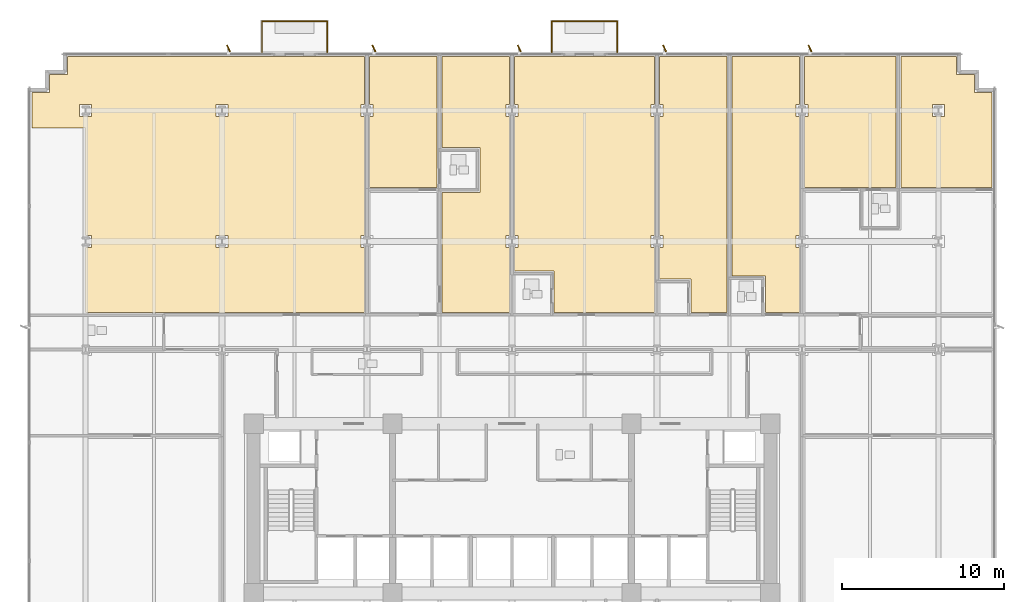
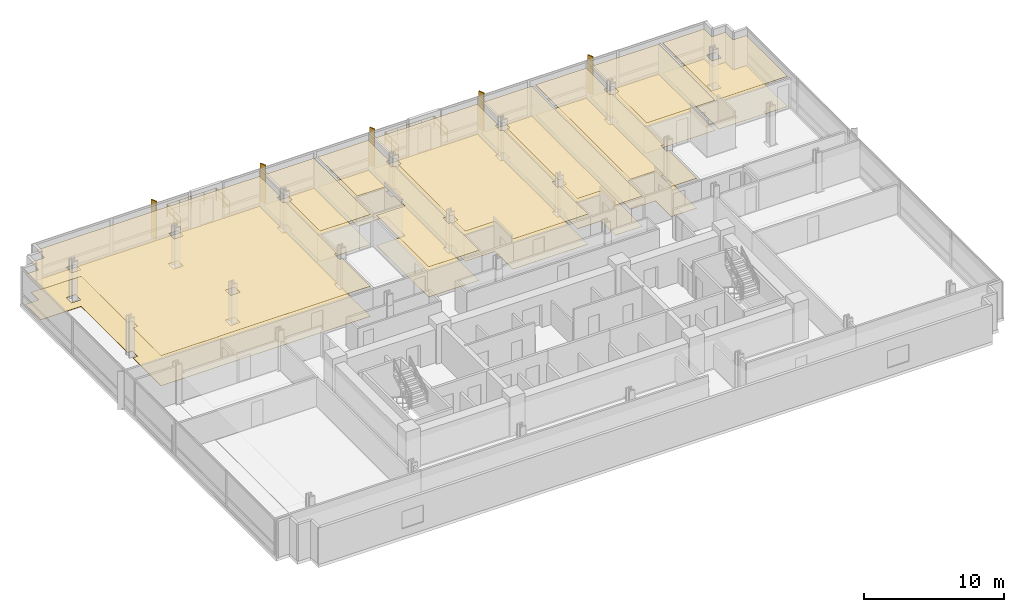
# One storey, part 16 of 17: 16 coverings, 6 railings, 5 shading devices.
"""IFC4 building model written with IfcOpenShell, lengths in metres."""

from ifc_helpers import new_model, si_unit, direction, frame, origin, origin_2d, place, context, subcontext, project, spatial, polyline, rectangle, circle, outline, extrude, material, layer, layer_set, type_object, element, save


model = new_model("IFC4")

# Units and contexts
model_context = context("Model", 3, precision=1e-05, world=origin(), true_north=direction((0.0, 1.0)))
body_context = subcontext(model_context, "Body", "Model", "MODEL_VIEW")
ifc_project = project(units=[si_unit("LENGTHUNIT", "METRE"), si_unit("AREAUNIT", "SQUARE_METRE"), si_unit("VOLUMEUNIT", "CUBIC_METRE"), si_unit("PLANEANGLEUNIT", "RADIAN"), si_unit("MASSUNIT", "GRAM", prefix="KILO")], contexts=[model_context])

# Site, building, storey
site_placement = place(None, origin())
site = spatial("IfcSite", under=ifc_project, at=site_placement, CompositionType="ELEMENT")
building_placement = place(site_placement, origin())
building = spatial("IfcBuilding", under=site, at=building_placement, Name="Solmavex Isthmus Hotel", CompositionType="ELEMENT")
storey_placement = place(building_placement, frame((0.0, 0.0, 40.199951171875)))
storey = spatial("IfcBuildingStorey", under=building, at=storey_placement, Name="L10", CompositionType="ELEMENT", Elevation=40.199951171875)

# Coverings
ifc_material_1 = material(Name="Gypsum plasterboard lining", Category="gypsum")
ifc_layer_1 = layer(ifc_material_1, 0.030029296875)
ifc_layer_set_1 = layer_set([ifc_layer_1], Name="Gypsum plasterboard lining")
covering_type_1 = type_object("IfcCoveringType", Name="COV-CEIL-GYP", PredefinedType="CEILING", material=ifc_layer_set_1)
covering_1_placement = place(storey_placement, frame((0.0, 0.0, 2.6201171875)))
element("IfcCovering", 1, at=covering_1_placement, inside=storey, type_object=covering_type_1, Name="Suspended Acoustic Ceiling L10-RM01", PredefinedType="CEILING", context=body_context, shape_type="SweptSolid", body=[
    extrude(outline(polyline([(-21.70703125, 4.385009765625), (-21.70703125, 4.405029296875), (-9.131103515625, 4.405029296875), (-9.131103515625, 8.407958984375), (-9.35595703125, 8.407958984375), (-9.35595703125, 9.16796875), (-9.131103515625, 9.16796875), (-9.131103515625, 16.52001953125), (-9.35595703125, 16.52001953125), (-9.35595703125, 17.280029296875), (-9.131103515625, 17.280029296875), (-9.131103515625, 20.22509765625), (-27.52490234375, 20.22509765625), (-27.52490234375, 19.125), (-28.625, 19.125), (-28.625, 18.02490234375), (-29.72509765625, 18.02490234375), (-29.72509765625, 15.800048828125), (-26.39990234375, 15.800048828125), (-26.39990234375, 9.16796875), (-26.02001953125, 9.16796875), (-26.02001953125, 8.407958984375), (-26.39990234375, 8.407958984375), (-26.39990234375, 4.385009765625), (-21.70703125, 4.385009765625)]), holes=[polyline([(-18.33203125, 8.407958984375), (-18.33203125, 9.16796875), (-17.572021484375, 9.16796875), (-17.572021484375, 8.407958984375), (-18.33203125, 8.407958984375)]), polyline([(-18.33203125, 17.280029296875), (-17.572021484375, 17.280029296875), (-17.572021484375, 16.52001953125), (-18.33203125, 16.52001953125), (-18.33203125, 17.280029296875)]), polyline([(-26.780029296875, 17.280029296875), (-26.02001953125, 17.280029296875), (-26.02001953125, 16.52001953125), (-26.780029296875, 16.52001953125), (-26.780029296875, 17.280029296875)])]), origin(), (0.0, 0.0, 1.0), 0.030029296875),
])
covering_2_placement = place(storey_placement, frame((0.0, 0.0, 2.6201171875)))
element("IfcCovering", 2, at=covering_2_placement, inside=storey, type_object=covering_type_1, Name="Suspended Acoustic Ceiling L10-SL02-BD", PredefinedType="CEILING", context=body_context, shape_type="SweptSolid", body=[
    extrude(outline(polyline([(-8.821044921875, 17.280029296875), (-8.595947265625, 17.280029296875), (-8.595947265625, 16.52001953125), (-8.821044921875, 16.52001953125), (-8.821044921875, 12.14306640625), (-4.64306640625, 12.14306640625), (-4.64306640625, 20.22509765625), (-8.821044921875, 20.22509765625), (-8.821044921875, 17.280029296875)])), origin(), (0.0, 0.0, 1.0), 0.030029296875),
])
covering_3_placement = place(storey_placement, frame((0.0, 0.0, 2.6201171875)))
element("IfcCovering", 3, at=covering_3_placement, inside=storey, type_object=covering_type_1, Name="Suspended Acoustic Ceiling L10-SV02", PredefinedType="CEILING", context=body_context, shape_type="SweptSolid", body=[
    extrude(outline(polyline([(-0.155029296875, 16.52001953125), (-0.3798828125, 16.52001953125), (-0.3798828125, 17.280029296875), (-0.155029296875, 17.280029296875), (-0.155029296875, 20.22509765625), (-4.3330078125, 20.22509765625), (-4.3330078125, 14.593017578125), (-1.98291015625, 14.593017578125), (-1.98291015625, 11.8330078125), (-4.3330078125, 11.8330078125), (-4.3330078125, 4.405029296875), (-0.155029296875, 4.405029296875), (-0.155029296875, 8.407958984375), (-0.3798828125, 8.407958984375), (-0.3798828125, 9.16796875), (-0.155029296875, 9.16796875), (-0.155029296875, 16.52001953125)])), origin(), (0.0, 0.0, 1.0), 0.030029296875),
])
covering_4_placement = place(storey_placement, frame((0.0, 0.0, 2.6201171875)))
element("IfcCovering", 4, at=covering_4_placement, inside=storey, type_object=covering_type_1, Name="Suspended Acoustic Ceiling L10-RM03", PredefinedType="CEILING", context=body_context, shape_type="SweptSolid", body=[
    extrude(outline(polyline([(0.155029296875, 9.16796875), (0.3798828125, 9.16796875), (0.3798828125, 8.407958984375), (0.155029296875, 8.407958984375), (0.155029296875, 6.955078125), (2.60498046875, 6.955078125), (2.60498046875, 4.405029296875), (8.821044921875, 4.405029296875), (8.821044921875, 8.407958984375), (8.595947265625, 8.407958984375), (8.595947265625, 9.16796875), (8.821044921875, 9.16796875), (8.821044921875, 16.52001953125), (8.595947265625, 16.52001953125), (8.595947265625, 17.280029296875), (8.821044921875, 17.280029296875), (8.821044921875, 20.22509765625), (0.155029296875, 20.22509765625), (0.155029296875, 17.280029296875), (0.3798828125, 17.280029296875), (0.3798828125, 16.52001953125), (0.155029296875, 16.52001953125), (0.155029296875, 9.16796875)])), origin(), (0.0, 0.0, 1.0), 0.030029296875),
])
covering_5_placement = place(storey_placement, frame((0.0, 0.0, 2.6201171875)))
element("IfcCovering", 5, at=covering_5_placement, inside=storey, type_object=covering_type_1, Name="Suspended Acoustic Ceiling L10-RM04", PredefinedType="CEILING", context=body_context, shape_type="SweptSolid", body=[
    extrude(outline(polyline([(9.131103515625, 9.16796875), (9.35595703125, 9.16796875), (9.35595703125, 8.407958984375), (9.131103515625, 8.407958984375), (9.131103515625, 6.455078125), (11.0810546875, 6.455078125), (11.0810546875, 4.405029296875), (13.30908203125, 4.405029296875), (13.30908203125, 20.22509765625), (9.131103515625, 20.22509765625), (9.131103515625, 17.280029296875), (9.35595703125, 17.280029296875), (9.35595703125, 16.52001953125), (9.131103515625, 16.52001953125), (9.131103515625, 9.16796875)])), origin(), (0.0, 0.0, 1.0), 0.030029296875),
])
covering_6_placement = place(storey_placement, frame((0.0, 0.0, 2.6201171875)))
element("IfcCovering", 6, at=covering_6_placement, inside=storey, type_object=covering_type_1, Name="Suspended Acoustic Ceiling L10-RM05", PredefinedType="CEILING", context=body_context, shape_type="SweptSolid", body=[
    extrude(outline(polyline([(17.797119140625, 16.52001953125), (17.572021484375, 16.52001953125), (17.572021484375, 17.280029296875), (17.797119140625, 17.280029296875), (17.797119140625, 20.22509765625), (13.618896484375, 20.22509765625), (13.618896484375, 6.655029296875), (15.68359375, 6.655029296875), (15.68359375, 4.405029296875), (17.797119140625, 4.405029296875), (17.797119140625, 8.407958984375), (17.572021484375, 8.407958984375), (17.572021484375, 9.16796875), (17.797119140625, 9.16796875), (17.797119140625, 16.52001953125)])), origin(), (0.0, 0.0, 1.0), 0.030029296875),
])
covering_7_placement = place(storey_placement, frame((0.0, 0.0, 2.6201171875)))
element("IfcCovering", 7, at=covering_7_placement, inside=storey, type_object=covering_type_1, Name="Suspended Acoustic Ceiling L10-TB06", PredefinedType="CEILING", context=body_context, shape_type="SweptSolid", body=[
    extrude(outline(polyline([(18.10693359375, 17.280029296875), (18.33203125, 17.280029296875), (18.33203125, 16.52001953125), (18.10693359375, 16.52001953125), (18.10693359375, 12.14306640625), (23.760986328125, 12.14306640625), (23.760986328125, 20.22509765625), (18.10693359375, 20.22509765625), (18.10693359375, 17.280029296875)])), origin(), (0.0, 0.0, 1.0), 0.030029296875),
])
covering_8_placement = place(storey_placement, frame((0.0, 0.0, 2.6201171875)))
element("IfcCovering", 8, at=covering_8_placement, inside=storey, type_object=covering_type_1, Name="Suspended Acoustic Ceiling L10-TL06", PredefinedType="CEILING", context=body_context, shape_type="SweptSolid", body=[
    extrude(outline(polyline([(27.52490234375, 19.125), (27.52490234375, 20.22509765625), (24.071044921875, 20.22509765625), (24.071044921875, 12.14306640625), (29.72509765625, 12.14306640625), (29.72509765625, 18.02490234375), (28.625, 18.02490234375), (28.625, 19.125), (27.52490234375, 19.125)]), holes=[polyline([(26.02001953125, 16.52001953125), (26.02001953125, 17.280029296875), (26.780029296875, 17.280029296875), (26.780029296875, 16.52001953125), (26.02001953125, 16.52001953125)])]), origin(), (0.0, 0.0, 1.0), 0.030029296875),
])
ifc_material_2 = material(Name="Travertine natural stone", Category="masonry")
ifc_layer_2 = layer(ifc_material_2, 0.02490234375)
ifc_layer_set_2 = layer_set([ifc_layer_2], Name="Travertine natural stone")
covering_type_2 = type_object("IfcCoveringType", Name="COV-FLOR-STN", PredefinedType="FLOORING", material=ifc_layer_set_2)
covering_9_placement = place(storey_placement, origin())
element("IfcCovering", 9, at=covering_9_placement, inside=storey, type_object=covering_type_2, Name="Stone and Timber Floor Finish L10-RM01", PredefinedType="FLOORING", context=body_context, shape_type="SweptSolid", body=[
    extrude(outline(polyline([(-21.70703125, 4.385009765625), (-21.70703125, 4.405029296875), (-9.131103515625, 4.405029296875), (-9.131103515625, 8.407958984375), (-9.35595703125, 8.407958984375), (-9.35595703125, 9.16796875), (-9.131103515625, 9.16796875), (-9.131103515625, 16.52001953125), (-9.35595703125, 16.52001953125), (-9.35595703125, 17.280029296875), (-9.131103515625, 17.280029296875), (-9.131103515625, 20.22509765625), (-27.52490234375, 20.22509765625), (-27.52490234375, 19.125), (-28.625, 19.125), (-28.625, 18.02490234375), (-29.72509765625, 18.02490234375), (-29.72509765625, 15.800048828125), (-26.39990234375, 15.800048828125), (-26.39990234375, 9.16796875), (-26.02001953125, 9.16796875), (-26.02001953125, 8.407958984375), (-26.39990234375, 8.407958984375), (-26.39990234375, 4.385009765625), (-21.70703125, 4.385009765625)]), holes=[polyline([(-18.33203125, 8.407958984375), (-18.33203125, 9.16796875), (-17.572021484375, 9.16796875), (-17.572021484375, 8.407958984375), (-18.33203125, 8.407958984375)]), polyline([(-18.33203125, 17.280029296875), (-17.572021484375, 17.280029296875), (-17.572021484375, 16.52001953125), (-18.33203125, 16.52001953125), (-18.33203125, 17.280029296875)]), polyline([(-26.780029296875, 17.280029296875), (-26.02001953125, 17.280029296875), (-26.02001953125, 16.52001953125), (-26.780029296875, 16.52001953125), (-26.780029296875, 17.280029296875)])]), origin(), (0.0, 0.0, 1.0), 0.025146484375),
])
covering_10_placement = place(storey_placement, origin())
element("IfcCovering", 10, at=covering_10_placement, inside=storey, type_object=covering_type_2, Name="Stone and Timber Floor Finish L10-SL02-BD", PredefinedType="FLOORING", context=body_context, shape_type="SweptSolid", body=[
    extrude(outline(polyline([(-8.821044921875, 17.280029296875), (-8.595947265625, 17.280029296875), (-8.595947265625, 16.52001953125), (-8.821044921875, 16.52001953125), (-8.821044921875, 12.14306640625), (-4.64306640625, 12.14306640625), (-4.64306640625, 20.22509765625), (-8.821044921875, 20.22509765625), (-8.821044921875, 17.280029296875)])), origin(), (0.0, 0.0, 1.0), 0.025146484375),
])
covering_11_placement = place(storey_placement, origin())
element("IfcCovering", 11, at=covering_11_placement, inside=storey, type_object=covering_type_2, Name="Stone and Timber Floor Finish L10-SV02", PredefinedType="FLOORING", context=body_context, shape_type="SweptSolid", body=[
    extrude(outline(polyline([(-0.155029296875, 16.52001953125), (-0.3798828125, 16.52001953125), (-0.3798828125, 17.280029296875), (-0.155029296875, 17.280029296875), (-0.155029296875, 20.22509765625), (-4.3330078125, 20.22509765625), (-4.3330078125, 14.593017578125), (-1.98291015625, 14.593017578125), (-1.98291015625, 11.8330078125), (-4.3330078125, 11.8330078125), (-4.3330078125, 4.405029296875), (-0.155029296875, 4.405029296875), (-0.155029296875, 8.407958984375), (-0.3798828125, 8.407958984375), (-0.3798828125, 9.16796875), (-0.155029296875, 9.16796875), (-0.155029296875, 16.52001953125)])), origin(), (0.0, 0.0, 1.0), 0.025146484375),
])
covering_12_placement = place(storey_placement, origin())
element("IfcCovering", 12, at=covering_12_placement, inside=storey, type_object=covering_type_2, Name="Stone and Timber Floor Finish L10-RM03", PredefinedType="FLOORING", context=body_context, shape_type="SweptSolid", body=[
    extrude(outline(polyline([(0.155029296875, 9.16796875), (0.3798828125, 9.16796875), (0.3798828125, 8.407958984375), (0.155029296875, 8.407958984375), (0.155029296875, 6.955078125), (2.60498046875, 6.955078125), (2.60498046875, 4.405029296875), (8.821044921875, 4.405029296875), (8.821044921875, 8.407958984375), (8.595947265625, 8.407958984375), (8.595947265625, 9.16796875), (8.821044921875, 9.16796875), (8.821044921875, 16.52001953125), (8.595947265625, 16.52001953125), (8.595947265625, 17.280029296875), (8.821044921875, 17.280029296875), (8.821044921875, 20.22509765625), (0.155029296875, 20.22509765625), (0.155029296875, 17.280029296875), (0.3798828125, 17.280029296875), (0.3798828125, 16.52001953125), (0.155029296875, 16.52001953125), (0.155029296875, 9.16796875)])), origin(), (0.0, 0.0, 1.0), 0.025146484375),
])
covering_13_placement = place(storey_placement, origin())
element("IfcCovering", 13, at=covering_13_placement, inside=storey, type_object=covering_type_2, Name="Stone and Timber Floor Finish L10-RM04", PredefinedType="FLOORING", context=body_context, shape_type="SweptSolid", body=[
    extrude(outline(polyline([(9.131103515625, 9.16796875), (9.35595703125, 9.16796875), (9.35595703125, 8.407958984375), (9.131103515625, 8.407958984375), (9.131103515625, 6.455078125), (11.0810546875, 6.455078125), (11.0810546875, 4.405029296875), (13.30908203125, 4.405029296875), (13.30908203125, 20.22509765625), (9.131103515625, 20.22509765625), (9.131103515625, 17.280029296875), (9.35595703125, 17.280029296875), (9.35595703125, 16.52001953125), (9.131103515625, 16.52001953125), (9.131103515625, 9.16796875)])), origin(), (0.0, 0.0, 1.0), 0.025146484375),
])
covering_14_placement = place(storey_placement, origin())
element("IfcCovering", 14, at=covering_14_placement, inside=storey, type_object=covering_type_2, Name="Stone and Timber Floor Finish L10-RM05", PredefinedType="FLOORING", context=body_context, shape_type="SweptSolid", body=[
    extrude(outline(polyline([(17.797119140625, 16.52001953125), (17.572021484375, 16.52001953125), (17.572021484375, 17.280029296875), (17.797119140625, 17.280029296875), (17.797119140625, 20.22509765625), (13.618896484375, 20.22509765625), (13.618896484375, 6.655029296875), (15.68359375, 6.655029296875), (15.68359375, 4.405029296875), (17.797119140625, 4.405029296875), (17.797119140625, 8.407958984375), (17.572021484375, 8.407958984375), (17.572021484375, 9.16796875), (17.797119140625, 9.16796875), (17.797119140625, 16.52001953125)])), origin(), (0.0, 0.0, 1.0), 0.025146484375),
])
covering_15_placement = place(storey_placement, origin())
element("IfcCovering", 15, at=covering_15_placement, inside=storey, type_object=covering_type_2, Name="Stone and Timber Floor Finish L10-TB06", PredefinedType="FLOORING", context=body_context, shape_type="SweptSolid", body=[
    extrude(outline(polyline([(18.10693359375, 17.280029296875), (18.33203125, 17.280029296875), (18.33203125, 16.52001953125), (18.10693359375, 16.52001953125), (18.10693359375, 12.14306640625), (23.760986328125, 12.14306640625), (23.760986328125, 20.22509765625), (18.10693359375, 20.22509765625), (18.10693359375, 17.280029296875)])), origin(), (0.0, 0.0, 1.0), 0.025146484375),
])
covering_16_placement = place(storey_placement, origin())
element("IfcCovering", 16, at=covering_16_placement, inside=storey, type_object=covering_type_2, Name="Stone and Timber Floor Finish L10-TL06", PredefinedType="FLOORING", context=body_context, shape_type="SweptSolid", body=[
    extrude(outline(polyline([(27.52490234375, 19.125), (27.52490234375, 20.22509765625), (24.071044921875, 20.22509765625), (24.071044921875, 12.14306640625), (29.72509765625, 12.14306640625), (29.72509765625, 18.02490234375), (28.625, 18.02490234375), (28.625, 19.125), (27.52490234375, 19.125)]), holes=[polyline([(26.02001953125, 16.52001953125), (26.02001953125, 17.280029296875), (26.780029296875, 17.280029296875), (26.780029296875, 16.52001953125), (26.02001953125, 16.52001953125)])]), origin(), (0.0, 0.0, 1.0), 0.025146484375),
])

# Railings
ifc_material_3 = material(Name="Clear low-E laminated glass", Category="glass")
ifc_layer_3 = layer(ifc_material_3, 0.070068359375)
ifc_layer_set_3 = layer_set([ifc_layer_3], Name="Clear low-E laminated glass")
railing_type = type_object("IfcRailingType", Name="RAIL-GUARD-1100", PredefinedType="BALUSTRADE", material=ifc_layer_set_3)
railing_1_placement = place(storey_placement, frame((-15.48388671875, 20.5, 0.0)))
element("IfcRailing", 17, at=railing_1_placement, inside=storey, type_object=railing_type, Name="Guardrail Balustrade L10-BAL1-01", PredefinedType="BALUSTRADE", context=body_context, shape_type="SweptSolid", body=[
    extrude(circle(Radius=0.02392578125, at=origin_2d()), frame((0.0, 0.0, 1.09619140625), z_axis=(0.0, 1.0, 0.0), x_axis=(-1.0, 0.0, 0.0)), (0.0, 0.0, 1.0), 1.919921875),
    extrude(circle(Radius=0.02392578125, at=origin_2d()), frame((0.0, 0.0, 0.56005859375), z_axis=(0.0, 1.0, 0.0), x_axis=(-1.0, 0.0, 0.0)), (0.0, 0.0, 1.0), 1.919921875),
    extrude(circle(Radius=0.02099609375, at=origin_2d()), origin(), (0.0, 0.0, 1.0), 1.072021484375),
    extrude(circle(Radius=0.02099609375, at=origin_2d()), frame((0.0, 0.9599609375, 0.0)), (0.0, 0.0, 1.0), 1.072021484375),
    extrude(circle(Radius=0.02099609375, at=origin_2d()), frame((0.0, 1.919921875, 0.0)), (0.0, 0.0, 1.0), 1.072021484375),
])
railing_2_placement = place(storey_placement, frame((-15.48388671875, 22.419921875, 0.0)))
element("IfcRailing", 18, at=railing_2_placement, inside=storey, type_object=railing_type, Name="Guardrail Balustrade L10-BAL1-02", PredefinedType="BALUSTRADE", context=body_context, shape_type="SweptSolid", body=[
    extrude(circle(Radius=0.02392578125, at=origin_2d()), frame((0.0, 0.0, 1.09619140625), z_axis=(1.0, 0.0, 0.0), x_axis=(0.0, 1.0, 0.0)), (0.0, 0.0, 1.0), 4.039794921875),
    extrude(circle(Radius=0.02392578125, at=origin_2d()), frame((0.0, 0.0, 0.56005859375), z_axis=(1.0, 0.0, 0.0), x_axis=(0.0, 1.0, 0.0)), (0.0, 0.0, 1.0), 4.039794921875),
    extrude(circle(Radius=0.02099609375, at=origin_2d()), origin(), (0.0, 0.0, 1.0), 1.072021484375),
    extrude(circle(Radius=0.02099609375, at=origin_2d()), frame((1.010009765625, 0.0, 0.0)), (0.0, 0.0, 1.0), 1.072021484375),
    extrude(circle(Radius=0.02099609375, at=origin_2d()), frame((2.02001953125, 0.0, 0.0)), (0.0, 0.0, 1.0), 1.072021484375),
    extrude(circle(Radius=0.02099609375, at=origin_2d()), frame((3.02978515625, 0.0, 0.0)), (0.0, 0.0, 1.0), 1.072021484375),
    extrude(circle(Radius=0.02099609375, at=origin_2d()), frame((4.039794921875, 0.0, 0.0)), (0.0, 0.0, 1.0), 1.072021484375),
])
railing_3_placement = place(storey_placement, frame((-11.444091796875, 22.419921875, 0.0)))
element("IfcRailing", 19, at=railing_3_placement, inside=storey, type_object=railing_type, Name="Guardrail Balustrade L10-BAL1-03", PredefinedType="BALUSTRADE", context=body_context, shape_type="SweptSolid", body=[
    extrude(circle(Radius=0.02392578125, at=origin_2d()), frame((0.0, 0.0, 1.09619140625), z_axis=(0.0, -1.0, 0.0), x_axis=(1.0, 0.0, 0.0)), (0.0, 0.0, 1.0), 1.919921875),
    extrude(circle(Radius=0.02392578125, at=origin_2d()), frame((0.0, 0.0, 0.56005859375), z_axis=(0.0, -1.0, 0.0), x_axis=(1.0, 0.0, 0.0)), (0.0, 0.0, 1.0), 1.919921875),
    extrude(circle(Radius=0.02099609375, at=origin_2d()), origin(), (0.0, 0.0, 1.0), 1.072021484375),
    extrude(circle(Radius=0.02099609375, at=origin_2d()), frame((0.0, -0.9599609375, 0.0)), (0.0, 0.0, 1.0), 1.072021484375),
    extrude(circle(Radius=0.02099609375, at=origin_2d()), frame((0.0, -1.919921875, 0.0)), (0.0, 0.0, 1.0), 1.072021484375),
])
railing_4_placement = place(storey_placement, frame((2.468017578125, 20.5, 0.0)))
element("IfcRailing", 20, at=railing_4_placement, inside=storey, type_object=railing_type, Name="Guardrail Balustrade L10-BAL2-01", PredefinedType="BALUSTRADE", context=body_context, shape_type="SweptSolid", body=[
    extrude(circle(Radius=0.02392578125, at=origin_2d()), frame((0.0, 0.0, 1.09619140625), z_axis=(0.0, 1.0, 0.0), x_axis=(-1.0, 0.0, 0.0)), (0.0, 0.0, 1.0), 1.919921875),
    extrude(circle(Radius=0.02392578125, at=origin_2d()), frame((0.0, 0.0, 0.56005859375), z_axis=(0.0, 1.0, 0.0), x_axis=(-1.0, 0.0, 0.0)), (0.0, 0.0, 1.0), 1.919921875),
    extrude(circle(Radius=0.02099609375, at=origin_2d()), origin(), (0.0, 0.0, 1.0), 1.072021484375),
    extrude(circle(Radius=0.02099609375, at=origin_2d()), frame((0.0, 0.9599609375, 0.0)), (0.0, 0.0, 1.0), 1.072021484375),
    extrude(circle(Radius=0.02099609375, at=origin_2d()), frame((0.0, 1.919921875, 0.0)), (0.0, 0.0, 1.0), 1.072021484375),
])
railing_5_placement = place(storey_placement, frame((2.468017578125, 22.419921875, 0.0)))
element("IfcRailing", 21, at=railing_5_placement, inside=storey, type_object=railing_type, Name="Guardrail Balustrade L10-BAL2-02", PredefinedType="BALUSTRADE", context=body_context, shape_type="SweptSolid", body=[
    extrude(circle(Radius=0.02392578125, at=origin_2d()), frame((0.0, 0.0, 1.09619140625), z_axis=(1.0, 0.0, 0.0), x_axis=(0.0, 1.0, 0.0)), (0.0, 0.0, 1.0), 4.0400390625),
    extrude(circle(Radius=0.02392578125, at=origin_2d()), frame((0.0, 0.0, 0.56005859375), z_axis=(1.0, 0.0, 0.0), x_axis=(0.0, 1.0, 0.0)), (0.0, 0.0, 1.0), 4.0400390625),
    extrude(circle(Radius=0.02099609375, at=origin_2d()), origin(), (0.0, 0.0, 1.0), 1.072021484375),
    extrude(circle(Radius=0.02099609375, at=origin_2d()), frame((1.010009765625, 0.0, 0.0)), (0.0, 0.0, 1.0), 1.072021484375),
    extrude(circle(Radius=0.02099609375, at=origin_2d()), frame((2.02001953125, 0.0, 0.0)), (0.0, 0.0, 1.0), 1.072021484375),
    extrude(circle(Radius=0.02099609375, at=origin_2d()), frame((3.030029296875, 0.0, 0.0)), (0.0, 0.0, 1.0), 1.072021484375),
    extrude(circle(Radius=0.02099609375, at=origin_2d()), frame((4.0400390625, 0.0, 0.0)), (0.0, 0.0, 1.0), 1.072021484375),
])
railing_6_placement = place(storey_placement, frame((6.508056640625, 22.419921875, 0.0)))
element("IfcRailing", 22, at=railing_6_placement, inside=storey, type_object=railing_type, Name="Guardrail Balustrade L10-BAL2-03", PredefinedType="BALUSTRADE", context=body_context, shape_type="SweptSolid", body=[
    extrude(circle(Radius=0.02392578125, at=origin_2d()), frame((0.0, 0.0, 1.09619140625), z_axis=(0.0, -1.0, 0.0), x_axis=(1.0, 0.0, 0.0)), (0.0, 0.0, 1.0), 1.919921875),
    extrude(circle(Radius=0.02392578125, at=origin_2d()), frame((0.0, 0.0, 0.56005859375), z_axis=(0.0, -1.0, 0.0), x_axis=(1.0, 0.0, 0.0)), (0.0, 0.0, 1.0), 1.919921875),
    extrude(circle(Radius=0.02099609375, at=origin_2d()), origin(), (0.0, 0.0, 1.0), 1.072021484375),
    extrude(circle(Radius=0.02099609375, at=origin_2d()), frame((0.0, -0.9599609375, 0.0)), (0.0, 0.0, 1.0), 1.072021484375),
    extrude(circle(Radius=0.02099609375, at=origin_2d()), frame((0.0, -1.919921875, 0.0)), (0.0, 0.0, 1.0), 1.072021484375),
])

# Shading devices
ifc_material_4 = material(Name="Aluminium alloy 6063-T6", Category="aluminium")
shading_device_type = type_object("IfcShadingDeviceType", Name="SHD-FIN-BRONZE", PredefinedType="USERDEFINED", material=ifc_material_4)
for number, where, z_axis, x_axis, name in (
    (23, (-17.550048828125, 20.739990234375, -0.139892578125), (0.0, 0.0, 1.0), (-0.438371146789, 0.898794046299, 0.0), "Anodised Aluminium Solar Fin L10-N1"),
    (24, (-8.550048828125, 20.739990234375, -0.139892578125), (0.0, 0.0, 1.0), (-0.438371146789, 0.898794046299, 0.0), "Anodised Aluminium Solar Fin L10-N2"),
    (25, (0.449951171875, 20.739990234375, -0.139892578125), (0.0, 0.0, 1.0), (-0.438371146789, 0.898794046299, 0.0), "Anodised Aluminium Solar Fin L10-N3"),
    (26, (9.449951171875, 20.739990234375, -0.139892578125), (0.0, 0.0, 1.0), (-0.438371146789, 0.898794046299, 0.0), "Anodised Aluminium Solar Fin L10-N4"),
    (27, (18.449951171875, 20.739990234375, -0.139892578125), (0.0, 0.0, 1.0), (-0.438371146789, 0.898794046299, 0.0), "Anodised Aluminium Solar Fin L10-N5"),
):
    element("IfcShadingDevice", number, at=place(storey_placement, frame(where, z_axis=z_axis, x_axis=x_axis)), inside=storey, type_object=shading_device_type, Name=name, ObjectType="SOLAR_FIN", PredefinedType="USERDEFINED", context=body_context, shape_type="SweptSolid", body=[
        extrude(rectangle(XDim=0.449951171875, YDim=0.080078125, at=origin_2d()), origin(), (0.0, 0.0, 1.0), 3.330078125),
    ])

save(model, "model.ifc")
